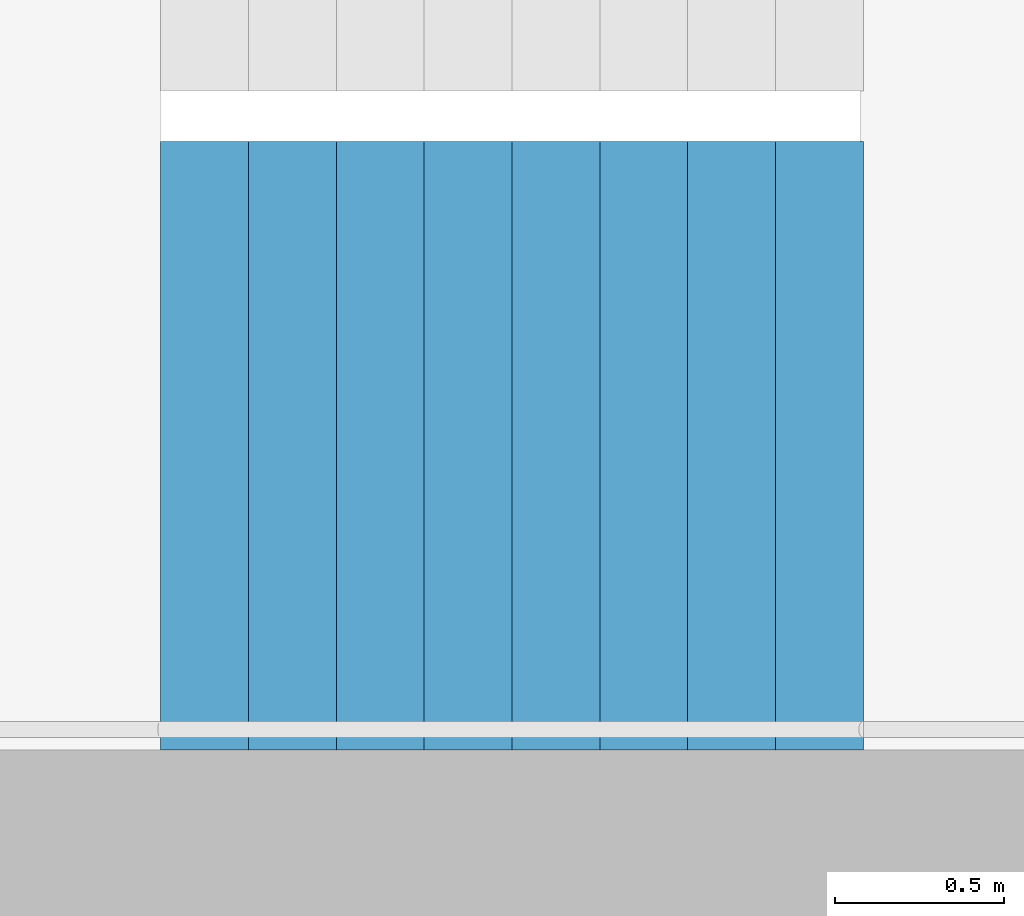
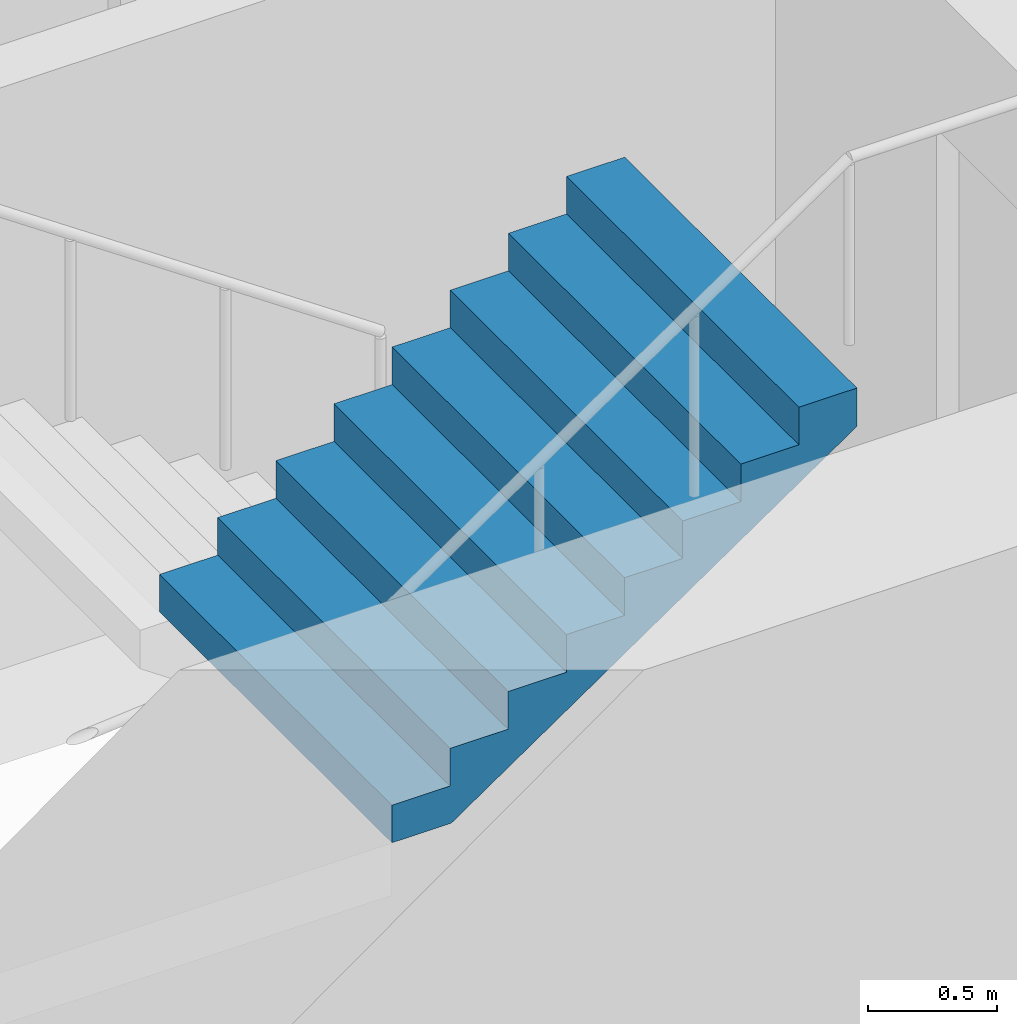
# One storey, part 18 of 26: 1 stair flight, 1 element without a shape of its own.
"""IFC4 building model written with IfcOpenShell, lengths in metres."""

from ifc_helpers import new_model, si_unit, direction, frame, origin, place, context, subcontext, project, spatial, triangles, material, type_object, element, aggregate, save


model = new_model("IFC4")

# Units and contexts
model_context = context("Model", 3, precision=1e-05, world=origin(), true_north=direction((0.0, 1.0)))
body_context = subcontext(model_context, "Body", "Model", "MODEL_VIEW")
ifc_project = project(units=[si_unit("LENGTHUNIT", "METRE"), si_unit("AREAUNIT", "SQUARE_METRE"), si_unit("VOLUMEUNIT", "CUBIC_METRE"), si_unit("PLANEANGLEUNIT", "RADIAN"), si_unit("MASSUNIT", "GRAM", prefix="KILO")], contexts=[model_context])

# Site, building, storey
site_placement = place(None, origin())
site = spatial("IfcSite", under=ifc_project, at=site_placement, CompositionType="ELEMENT")
building_placement = place(site_placement, origin())
building = spatial("IfcBuilding", under=site, at=building_placement, Name="Hakoniwa Tower and Hamabe Station Hall", CompositionType="ELEMENT")
storey_placement = place(building_placement, frame((0.0, 0.0, 140.60009765625)))
storey = spatial("IfcBuildingStorey", under=building, at=storey_placement, Name="L39", CompositionType="ELEMENT", Elevation=140.60009765625)

# Stair, stair flight
ifc_material_1 = material(Name="Concrete C40", Category="concrete")
stair_type = type_object("IfcStairType", Name="ESCAPE STAIR 1800", PredefinedType="HALF_TURN_STAIR", material=ifc_material_1)
stair_placement = place(storey_placement, origin())
stair = element("IfcStair", 1, at=stair_placement, inside=storey, type_object=stair_type, Name="Escape stair ST-2 L39", PredefinedType="HALF_TURN_STAIR")
ifc_material_2 = material(Name="Concrete C40", Category="concrete")
stair_flight_type = type_object("IfcStairFlightType", Name="STAIR FLIGHT 1800", PredefinedType="STRAIGHT", material=ifc_material_2)
stair_flight_placement = place(storey_placement, frame((-25.47998046875, -6.60009765625, 1.599853515625), z_axis=(0.0, 0.0, 1.0), x_axis=(1.0, 0.0, 0.0)))
stair_flight = element("IfcStairFlight", 2, at=stair_flight_placement, type_object=stair_flight_type, Name="ST-2 flight 2", NumberOfRisers=9, NumberOfTreads=8, PredefinedType="STRAIGHT", RiserHeight=0.177777778, TreadLength=0.26, context=body_context, shape_type="Tessellation", body=[
    triangles([(0.0, 0.89990234375, 0.0), (0.260009765625, 0.89990234375, 0.0), (0.265625, 0.89990234375, 0.0), (0.52001953125, 0.89990234375, 0.174072265625), (0.780029296875, 0.89990234375, 0.351806640625), (1.0400390625, 0.89990234375, 0.529541015625), (1.300048828125, 0.89990234375, 0.707275390625), (1.56005859375, 0.89990234375, 0.885009765625), (1.820068359375, 0.89990234375, 1.062744140625), (2.080078125, 0.89990234375, 1.24072265625), (2.080078125, 0.89990234375, 1.422119140625), (1.820068359375, 0.89990234375, 1.422119140625), (1.820068359375, 0.89990234375, 1.244384765625), (1.56005859375, 0.89990234375, 1.244384765625), (1.56005859375, 0.89990234375, 1.066650390625), (1.300048828125, 0.89990234375, 1.066650390625), (1.300048828125, 0.89990234375, 0.888916015625), (1.0400390625, 0.89990234375, 0.888916015625), (1.0400390625, 0.89990234375, 0.711181640625), (0.780029296875, 0.89990234375, 0.711181640625), (0.780029296875, 0.89990234375, 0.533447265625), (0.52001953125, 0.89990234375, 0.533447265625), (0.52001953125, 0.89990234375, 0.35546875), (0.265625, 0.89990234375, 0.35546875), (0.260009765625, 0.89990234375, 0.35546875), (0.260009765625, 0.89990234375, 0.177734375), (0.0, 0.89990234375, 0.177734375), (0.0, 0.06005859375, 0.0), (0.260009765625, 0.06005859375, 0.0), (0.265625, 0.06005859375, 0.0), (0.52001953125, 0.06005859375, 0.174072265625), (0.780029296875, 0.06005859375, 0.351806640625), (1.0400390625, 0.06005859375, 0.529541015625), (1.300048828125, 0.06005859375, 0.707275390625), (1.56005859375, 0.06005859375, 0.885009765625), (1.820068359375, 0.06005859375, 1.062744140625), (2.080078125, 0.06005859375, 1.24072265625), (2.080078125, 0.06005859375, 1.422119140625), (1.820068359375, 0.06005859375, 1.422119140625), (1.820068359375, 0.06005859375, 1.244384765625), (1.56005859375, 0.06005859375, 1.244384765625), (1.56005859375, 0.06005859375, 1.066650390625), (1.300048828125, 0.06005859375, 1.066650390625), (1.300048828125, 0.06005859375, 0.888916015625), (1.0400390625, 0.06005859375, 0.888916015625), (1.0400390625, 0.06005859375, 0.711181640625), (0.780029296875, 0.06005859375, 0.711181640625), (0.780029296875, 0.06005859375, 0.533447265625), (0.52001953125, 0.06005859375, 0.533447265625), (0.52001953125, 0.06005859375, 0.35546875), (0.265625, 0.06005859375, 0.35546875), (0.260009765625, 0.06005859375, 0.35546875), (0.260009765625, 0.06005859375, 0.177734375), (0.0, 0.06005859375, 0.177734375), (0.0, 0.04296875, 0.0), (0.260009765625, 0.04296875, 0.0), (0.265625, 0.04296875, 0.0), (0.52001953125, 0.04296875, 0.174072265625), (0.780029296875, 0.04296875, 0.351806640625), (1.0400390625, 0.04296875, 0.529541015625), (1.300048828125, 0.04296875, 0.707275390625), (1.56005859375, 0.04296875, 0.885009765625), (1.820068359375, 0.04296875, 1.062744140625), (2.080078125, 0.04296875, 1.24072265625), (2.080078125, 0.04296875, 1.422119140625), (1.820068359375, 0.04296875, 1.422119140625), (1.820068359375, 0.04296875, 1.244384765625), (1.56005859375, 0.04296875, 1.244384765625), (1.56005859375, 0.04296875, 1.066650390625), (1.300048828125, 0.04296875, 1.066650390625), (1.300048828125, 0.04296875, 0.888916015625), (1.0400390625, 0.04296875, 0.888916015625), (1.0400390625, 0.04296875, 0.711181640625), (0.780029296875, 0.04296875, 0.711181640625), (0.780029296875, 0.04296875, 0.533447265625), (0.52001953125, 0.04296875, 0.533447265625), (0.52001953125, 0.04296875, 0.35546875), (0.265625, 0.04296875, 0.35546875), (0.260009765625, 0.04296875, 0.35546875), (0.260009765625, 0.04296875, 0.177734375), (0.0, 0.04296875, 0.177734375), (0.0, 0.025634765625, 0.0), (0.260009765625, 0.025634765625, 0.0), (0.265625, 0.025634765625, 0.0), (0.52001953125, 0.025634765625, 0.174072265625), (0.780029296875, 0.025634765625, 0.351806640625), (1.0400390625, 0.025634765625, 0.529541015625), (1.300048828125, 0.025634765625, 0.707275390625), (1.56005859375, 0.025634765625, 0.885009765625), (1.820068359375, 0.025634765625, 1.062744140625), (2.080078125, 0.025634765625, 1.24072265625), (2.080078125, 0.025634765625, 1.422119140625), (1.820068359375, 0.025634765625, 1.422119140625), (1.820068359375, 0.025634765625, 1.244384765625), (1.56005859375, 0.025634765625, 1.244384765625), (1.56005859375, 0.025634765625, 1.066650390625), (1.300048828125, 0.025634765625, 1.066650390625), (1.300048828125, 0.025634765625, 0.888916015625), (1.0400390625, 0.025634765625, 0.888916015625), (1.0400390625, 0.025634765625, 0.711181640625), (0.780029296875, 0.025634765625, 0.711181640625), (0.780029296875, 0.025634765625, 0.533447265625), (0.52001953125, 0.025634765625, 0.533447265625), (0.52001953125, 0.025634765625, 0.35546875), (0.265625, 0.025634765625, 0.35546875), (0.260009765625, 0.025634765625, 0.35546875), (0.260009765625, 0.025634765625, 0.177734375), (0.0, 0.025634765625, 0.177734375), (0.0, 0.008544921875, 0.0), (0.260009765625, 0.008544921875, 0.0), (0.265625, 0.008544921875, 0.0), (0.52001953125, 0.008544921875, 0.174072265625), (0.780029296875, 0.008544921875, 0.351806640625), (1.0400390625, 0.008544921875, 0.529541015625), (1.300048828125, 0.008544921875, 0.707275390625), (1.56005859375, 0.008544921875, 0.885009765625), (1.820068359375, 0.008544921875, 1.062744140625), (2.080078125, 0.008544921875, 1.24072265625), (2.080078125, 0.008544921875, 1.422119140625), (1.820068359375, 0.008544921875, 1.422119140625), (1.820068359375, 0.008544921875, 1.244384765625), (1.56005859375, 0.008544921875, 1.244384765625), (1.56005859375, 0.008544921875, 1.066650390625), (1.300048828125, 0.008544921875, 1.066650390625), (1.300048828125, 0.008544921875, 0.888916015625), (1.0400390625, 0.008544921875, 0.888916015625), (1.0400390625, 0.008544921875, 0.711181640625), (0.780029296875, 0.008544921875, 0.711181640625), (0.780029296875, 0.008544921875, 0.533447265625), (0.52001953125, 0.008544921875, 0.533447265625), (0.52001953125, 0.008544921875, 0.35546875), (0.265625, 0.008544921875, 0.35546875), (0.260009765625, 0.008544921875, 0.35546875), (0.260009765625, 0.008544921875, 0.177734375), (0.0, 0.008544921875, 0.177734375), (0.0, -0.008544921875, 0.0), (0.260009765625, -0.008544921875, 0.0), (0.265625, -0.008544921875, 0.0), (0.52001953125, -0.008544921875, 0.174072265625), (0.780029296875, -0.008544921875, 0.351806640625), (1.0400390625, -0.008544921875, 0.529541015625), (1.300048828125, -0.008544921875, 0.707275390625), (1.56005859375, -0.008544921875, 0.885009765625), (1.820068359375, -0.008544921875, 1.062744140625), (2.080078125, -0.008544921875, 1.24072265625), (2.080078125, -0.008544921875, 1.422119140625), (1.820068359375, -0.008544921875, 1.422119140625), (1.820068359375, -0.008544921875, 1.244384765625), (1.56005859375, -0.008544921875, 1.244384765625), (1.56005859375, -0.008544921875, 1.066650390625), (1.300048828125, -0.008544921875, 1.066650390625), (1.300048828125, -0.008544921875, 0.888916015625), (1.0400390625, -0.008544921875, 0.888916015625), (1.0400390625, -0.008544921875, 0.711181640625), (0.780029296875, -0.008544921875, 0.711181640625), (0.780029296875, -0.008544921875, 0.533447265625), (0.52001953125, -0.008544921875, 0.533447265625), (0.52001953125, -0.008544921875, 0.35546875), (0.265625, -0.008544921875, 0.35546875), (0.260009765625, -0.008544921875, 0.35546875), (0.260009765625, -0.008544921875, 0.177734375), (0.0, -0.008544921875, 0.177734375), (0.0, -0.025634765625, 0.0), (0.260009765625, -0.025634765625, 0.0), (0.265625, -0.025634765625, 0.0), (0.52001953125, -0.025634765625, 0.174072265625), (0.780029296875, -0.025634765625, 0.351806640625), (1.0400390625, -0.025634765625, 0.529541015625), (1.300048828125, -0.025634765625, 0.707275390625), (1.56005859375, -0.025634765625, 0.885009765625), (1.820068359375, -0.025634765625, 1.062744140625), (2.080078125, -0.025634765625, 1.24072265625), (2.080078125, -0.025634765625, 1.422119140625), (1.820068359375, -0.025634765625, 1.422119140625), (1.820068359375, -0.025634765625, 1.244384765625), (1.56005859375, -0.025634765625, 1.244384765625), (1.56005859375, -0.025634765625, 1.066650390625), (1.300048828125, -0.025634765625, 1.066650390625), (1.300048828125, -0.025634765625, 0.888916015625), (1.0400390625, -0.025634765625, 0.888916015625), (1.0400390625, -0.025634765625, 0.711181640625), (0.780029296875, -0.025634765625, 0.711181640625), (0.780029296875, -0.025634765625, 0.533447265625), (0.52001953125, -0.025634765625, 0.533447265625), (0.52001953125, -0.025634765625, 0.35546875), (0.265625, -0.025634765625, 0.35546875), (0.260009765625, -0.025634765625, 0.35546875), (0.260009765625, -0.025634765625, 0.177734375), (0.0, -0.025634765625, 0.177734375), (0.0, -0.04296875, 0.0), (0.260009765625, -0.04296875, 0.0), (0.265625, -0.04296875, 0.0), (0.52001953125, -0.04296875, 0.174072265625), (0.780029296875, -0.04296875, 0.351806640625), (1.0400390625, -0.04296875, 0.529541015625), (1.300048828125, -0.04296875, 0.707275390625), (1.56005859375, -0.04296875, 0.885009765625), (1.820068359375, -0.04296875, 1.062744140625), (2.080078125, -0.04296875, 1.24072265625), (2.080078125, -0.04296875, 1.422119140625), (1.820068359375, -0.04296875, 1.422119140625), (1.820068359375, -0.04296875, 1.244384765625), (1.56005859375, -0.04296875, 1.244384765625), (1.56005859375, -0.04296875, 1.066650390625), (1.300048828125, -0.04296875, 1.066650390625), (1.300048828125, -0.04296875, 0.888916015625), (1.0400390625, -0.04296875, 0.888916015625), (1.0400390625, -0.04296875, 0.711181640625), (0.780029296875, -0.04296875, 0.711181640625), (0.780029296875, -0.04296875, 0.533447265625), (0.52001953125, -0.04296875, 0.533447265625), (0.52001953125, -0.04296875, 0.35546875), (0.265625, -0.04296875, 0.35546875), (0.260009765625, -0.04296875, 0.35546875), (0.260009765625, -0.04296875, 0.177734375), (0.0, -0.04296875, 0.177734375), (0.0, -0.06005859375, 0.0), (0.260009765625, -0.06005859375, 0.0), (0.265625, -0.06005859375, 0.0), (0.52001953125, -0.06005859375, 0.174072265625), (0.780029296875, -0.06005859375, 0.351806640625), (1.0400390625, -0.06005859375, 0.529541015625), (1.300048828125, -0.06005859375, 0.707275390625), (1.56005859375, -0.06005859375, 0.885009765625), (1.820068359375, -0.06005859375, 1.062744140625), (2.080078125, -0.06005859375, 1.24072265625), (2.080078125, -0.06005859375, 1.422119140625), (1.820068359375, -0.06005859375, 1.422119140625), (1.820068359375, -0.06005859375, 1.244384765625), (1.56005859375, -0.06005859375, 1.244384765625), (1.56005859375, -0.06005859375, 1.066650390625), (1.300048828125, -0.06005859375, 1.066650390625), (1.300048828125, -0.06005859375, 0.888916015625), (1.0400390625, -0.06005859375, 0.888916015625), (1.0400390625, -0.06005859375, 0.711181640625), (0.780029296875, -0.06005859375, 0.711181640625), (0.780029296875, -0.06005859375, 0.533447265625), (0.52001953125, -0.06005859375, 0.533447265625), (0.52001953125, -0.06005859375, 0.35546875), (0.265625, -0.06005859375, 0.35546875), (0.260009765625, -0.06005859375, 0.35546875), (0.260009765625, -0.06005859375, 0.177734375), (0.0, -0.06005859375, 0.177734375), (0.0, -0.89990234375, 0.0), (0.260009765625, -0.89990234375, 0.0), (0.265625, -0.89990234375, 0.0), (0.52001953125, -0.89990234375, 0.174072265625), (0.780029296875, -0.89990234375, 0.351806640625), (1.0400390625, -0.89990234375, 0.529541015625), (1.300048828125, -0.89990234375, 0.707275390625), (1.56005859375, -0.89990234375, 0.885009765625), (1.820068359375, -0.89990234375, 1.062744140625), (2.080078125, -0.89990234375, 1.24072265625), (2.080078125, -0.89990234375, 1.422119140625), (1.820068359375, -0.89990234375, 1.422119140625), (1.820068359375, -0.89990234375, 1.244384765625), (1.56005859375, -0.89990234375, 1.244384765625), (1.56005859375, -0.89990234375, 1.066650390625), (1.300048828125, -0.89990234375, 1.066650390625), (1.300048828125, -0.89990234375, 0.888916015625), (1.0400390625, -0.89990234375, 0.888916015625), (1.0400390625, -0.89990234375, 0.711181640625), (0.780029296875, -0.89990234375, 0.711181640625), (0.780029296875, -0.89990234375, 0.533447265625), (0.52001953125, -0.89990234375, 0.533447265625), (0.52001953125, -0.89990234375, 0.35546875), (0.265625, -0.89990234375, 0.35546875), (0.260009765625, -0.89990234375, 0.35546875), (0.260009765625, -0.89990234375, 0.177734375), (0.0, -0.89990234375, 0.177734375)], [[2, 27, 26], [245, 269, 270], [2, 1, 27], [245, 270, 244], [3, 25, 24], [246, 267, 268], [3, 26, 25], [246, 268, 269], [3, 2, 26], [246, 269, 245], [4, 24, 23], [247, 266, 267], [4, 3, 24], [247, 267, 246], [5, 22, 21], [248, 264, 265], [5, 23, 22], [248, 265, 266], [5, 4, 23], [248, 266, 247], [6, 20, 19], [249, 262, 263], [6, 21, 20], [249, 263, 264], [6, 5, 21], [249, 264, 248], [7, 18, 17], [250, 260, 261], [7, 19, 18], [250, 261, 262], [7, 6, 19], [250, 262, 249], [8, 16, 15], [251, 258, 259], [8, 17, 16], [251, 259, 260], [8, 7, 17], [251, 260, 250], [9, 14, 13], [252, 256, 257], [9, 15, 14], [252, 257, 258], [9, 8, 15], [252, 258, 251], [10, 12, 11], [253, 254, 255], [10, 13, 12], [253, 255, 256], [10, 9, 13], [253, 256, 252], [1, 2, 29], [1, 29, 28], [28, 29, 56], [28, 56, 55], [55, 56, 83], [55, 83, 82], [82, 83, 110], [82, 110, 109], [109, 110, 137], [109, 137, 136], [136, 137, 164], [136, 164, 163], [163, 164, 191], [163, 191, 190], [190, 191, 218], [190, 218, 217], [217, 218, 245], [217, 245, 244], [2, 3, 30], [2, 30, 29], [29, 30, 57], [29, 57, 56], [56, 57, 84], [56, 84, 83], [83, 84, 111], [83, 111, 110], [110, 111, 138], [110, 138, 137], [137, 138, 165], [137, 165, 164], [164, 165, 192], [164, 192, 191], [191, 192, 219], [191, 219, 218], [218, 219, 246], [218, 246, 245], [3, 4, 31], [3, 31, 30], [30, 31, 58], [30, 58, 57], [57, 58, 85], [57, 85, 84], [84, 85, 112], [84, 112, 111], [111, 112, 139], [111, 139, 138], [138, 139, 166], [138, 166, 165], [165, 166, 193], [165, 193, 192], [192, 193, 220], [192, 220, 219], [219, 220, 247], [219, 247, 246], [4, 5, 32], [4, 32, 31], [31, 32, 59], [31, 59, 58], [58, 59, 86], [58, 86, 85], [85, 86, 113], [85, 113, 112], [112, 113, 140], [112, 140, 139], [139, 140, 167], [139, 167, 166], [166, 167, 194], [166, 194, 193], [193, 194, 221], [193, 221, 220], [220, 221, 248], [220, 248, 247], [5, 6, 33], [5, 33, 32], [32, 33, 60], [32, 60, 59], [59, 60, 87], [59, 87, 86], [86, 87, 114], [86, 114, 113], [113, 114, 141], [113, 141, 140], [140, 141, 168], [140, 168, 167], [167, 168, 195], [167, 195, 194], [194, 195, 222], [194, 222, 221], [221, 222, 249], [221, 249, 248], [6, 7, 34], [6, 34, 33], [33, 34, 61], [33, 61, 60], [60, 61, 88], [60, 88, 87], [87, 88, 115], [87, 115, 114], [114, 115, 142], [114, 142, 141], [141, 142, 169], [141, 169, 168], [168, 169, 196], [168, 196, 195], [195, 196, 223], [195, 223, 222], [222, 223, 250], [222, 250, 249], [7, 8, 35], [7, 35, 34], [34, 35, 62], [34, 62, 61], [61, 62, 89], [61, 89, 88], [88, 89, 116], [88, 116, 115], [115, 116, 143], [115, 143, 142], [142, 143, 170], [142, 170, 169], [169, 170, 197], [169, 197, 196], [196, 197, 224], [196, 224, 223], [223, 224, 251], [223, 251, 250], [8, 9, 36], [8, 36, 35], [35, 36, 63], [35, 63, 62], [62, 63, 90], [62, 90, 89], [89, 90, 117], [89, 117, 116], [116, 117, 144], [116, 144, 143], [143, 144, 171], [143, 171, 170], [170, 171, 198], [170, 198, 197], [197, 198, 225], [197, 225, 224], [224, 225, 252], [224, 252, 251], [9, 10, 37], [9, 37, 36], [36, 37, 64], [36, 64, 63], [63, 64, 91], [63, 91, 90], [90, 91, 118], [90, 118, 117], [117, 118, 145], [117, 145, 144], [144, 145, 172], [144, 172, 171], [171, 172, 199], [171, 199, 198], [198, 199, 226], [198, 226, 225], [225, 226, 253], [225, 253, 252], [10, 11, 38], [10, 38, 37], [37, 38, 65], [37, 65, 64], [64, 65, 92], [64, 92, 91], [91, 92, 119], [91, 119, 118], [118, 119, 146], [118, 146, 145], [145, 146, 173], [145, 173, 172], [172, 173, 200], [172, 200, 199], [199, 200, 227], [199, 227, 226], [226, 227, 254], [226, 254, 253], [11, 12, 39], [11, 39, 38], [38, 39, 66], [38, 66, 65], [65, 66, 93], [65, 93, 92], [92, 93, 120], [92, 120, 119], [119, 120, 147], [119, 147, 146], [146, 147, 174], [146, 174, 173], [173, 174, 201], [173, 201, 200], [200, 201, 228], [200, 228, 227], [227, 228, 255], [227, 255, 254], [12, 13, 40], [12, 40, 39], [39, 40, 67], [39, 67, 66], [66, 67, 94], [66, 94, 93], [93, 94, 121], [93, 121, 120], [120, 121, 148], [120, 148, 147], [147, 148, 175], [147, 175, 174], [174, 175, 202], [174, 202, 201], [201, 202, 229], [201, 229, 228], [228, 229, 256], [228, 256, 255], [13, 14, 41], [13, 41, 40], [40, 41, 68], [40, 68, 67], [67, 68, 95], [67, 95, 94], [94, 95, 122], [94, 122, 121], [121, 122, 149], [121, 149, 148], [148, 149, 176], [148, 176, 175], [175, 176, 203], [175, 203, 202], [202, 203, 230], [202, 230, 229], [229, 230, 257], [229, 257, 256], [14, 15, 42], [14, 42, 41], [41, 42, 69], [41, 69, 68], [68, 69, 96], [68, 96, 95], [95, 96, 123], [95, 123, 122], [122, 123, 150], [122, 150, 149], [149, 150, 177], [149, 177, 176], [176, 177, 204], [176, 204, 203], [203, 204, 231], [203, 231, 230], [230, 231, 258], [230, 258, 257], [15, 16, 43], [15, 43, 42], [42, 43, 70], [42, 70, 69], [69, 70, 97], [69, 97, 96], [96, 97, 124], [96, 124, 123], [123, 124, 151], [123, 151, 150], [150, 151, 178], [150, 178, 177], [177, 178, 205], [177, 205, 204], [204, 205, 232], [204, 232, 231], [231, 232, 259], [231, 259, 258], [16, 17, 44], [16, 44, 43], [43, 44, 71], [43, 71, 70], [70, 71, 98], [70, 98, 97], [97, 98, 125], [97, 125, 124], [124, 125, 152], [124, 152, 151], [151, 152, 179], [151, 179, 178], [178, 179, 206], [178, 206, 205], [205, 206, 233], [205, 233, 232], [232, 233, 260], [232, 260, 259], [17, 18, 45], [17, 45, 44], [44, 45, 72], [44, 72, 71], [71, 72, 99], [71, 99, 98], [98, 99, 126], [98, 126, 125], [125, 126, 153], [125, 153, 152], [152, 153, 180], [152, 180, 179], [179, 180, 207], [179, 207, 206], [206, 207, 234], [206, 234, 233], [233, 234, 261], [233, 261, 260], [18, 19, 46], [18, 46, 45], [45, 46, 73], [45, 73, 72], [72, 73, 100], [72, 100, 99], [99, 100, 127], [99, 127, 126], [126, 127, 154], [126, 154, 153], [153, 154, 181], [153, 181, 180], [180, 181, 208], [180, 208, 207], [207, 208, 235], [207, 235, 234], [234, 235, 262], [234, 262, 261], [19, 20, 47], [19, 47, 46], [46, 47, 74], [46, 74, 73], [73, 74, 101], [73, 101, 100], [100, 101, 128], [100, 128, 127], [127, 128, 155], [127, 155, 154], [154, 155, 182], [154, 182, 181], [181, 182, 209], [181, 209, 208], [208, 209, 236], [208, 236, 235], [235, 236, 263], [235, 263, 262], [20, 21, 48], [20, 48, 47], [47, 48, 75], [47, 75, 74], [74, 75, 102], [74, 102, 101], [101, 102, 129], [101, 129, 128], [128, 129, 156], [128, 156, 155], [155, 156, 183], [155, 183, 182], [182, 183, 210], [182, 210, 209], [209, 210, 237], [209, 237, 236], [236, 237, 264], [236, 264, 263], [21, 22, 49], [21, 49, 48], [48, 49, 76], [48, 76, 75], [75, 76, 103], [75, 103, 102], [102, 103, 130], [102, 130, 129], [129, 130, 157], [129, 157, 156], [156, 157, 184], [156, 184, 183], [183, 184, 211], [183, 211, 210], [210, 211, 238], [210, 238, 237], [237, 238, 265], [237, 265, 264], [22, 23, 50], [22, 50, 49], [49, 50, 77], [49, 77, 76], [76, 77, 104], [76, 104, 103], [103, 104, 131], [103, 131, 130], [130, 131, 158], [130, 158, 157], [157, 158, 185], [157, 185, 184], [184, 185, 212], [184, 212, 211], [211, 212, 239], [211, 239, 238], [238, 239, 266], [238, 266, 265], [23, 24, 51], [23, 51, 50], [50, 51, 78], [50, 78, 77], [77, 78, 105], [77, 105, 104], [104, 105, 132], [104, 132, 131], [131, 132, 159], [131, 159, 158], [158, 159, 186], [158, 186, 185], [185, 186, 213], [185, 213, 212], [212, 213, 240], [212, 240, 239], [239, 240, 267], [239, 267, 266], [24, 25, 52], [24, 52, 51], [51, 52, 79], [51, 79, 78], [78, 79, 106], [78, 106, 105], [105, 106, 133], [105, 133, 132], [132, 133, 160], [132, 160, 159], [159, 160, 187], [159, 187, 186], [186, 187, 214], [186, 214, 213], [213, 214, 241], [213, 241, 240], [240, 241, 268], [240, 268, 267], [25, 26, 53], [25, 53, 52], [52, 53, 80], [52, 80, 79], [79, 80, 107], [79, 107, 106], [106, 107, 134], [106, 134, 133], [133, 134, 161], [133, 161, 160], [160, 161, 188], [160, 188, 187], [187, 188, 215], [187, 215, 214], [214, 215, 242], [214, 242, 241], [241, 242, 269], [241, 269, 268], [26, 27, 54], [26, 54, 53], [53, 54, 81], [53, 81, 80], [80, 81, 108], [80, 108, 107], [107, 108, 135], [107, 135, 134], [134, 135, 162], [134, 162, 161], [161, 162, 189], [161, 189, 188], [188, 189, 216], [188, 216, 215], [215, 216, 243], [215, 243, 242], [242, 243, 270], [242, 270, 269], [27, 1, 28], [27, 28, 54], [54, 28, 55], [54, 55, 81], [81, 55, 82], [81, 82, 108], [108, 82, 109], [108, 109, 135], [135, 109, 136], [135, 136, 162], [162, 136, 163], [162, 163, 189], [189, 163, 190], [189, 190, 216], [216, 190, 217], [216, 217, 243], [243, 217, 244], [243, 244, 270]], closed=True),
])
aggregate(stair, [stair_flight])

save(model, "model.ifc")
